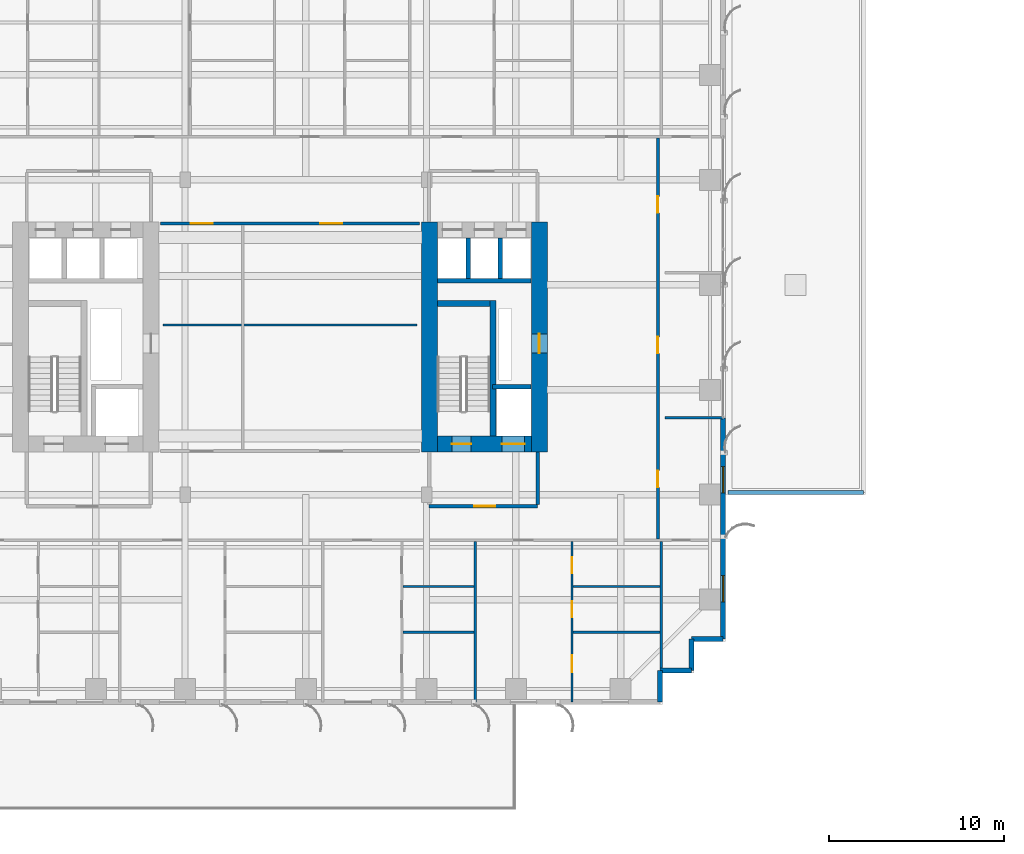
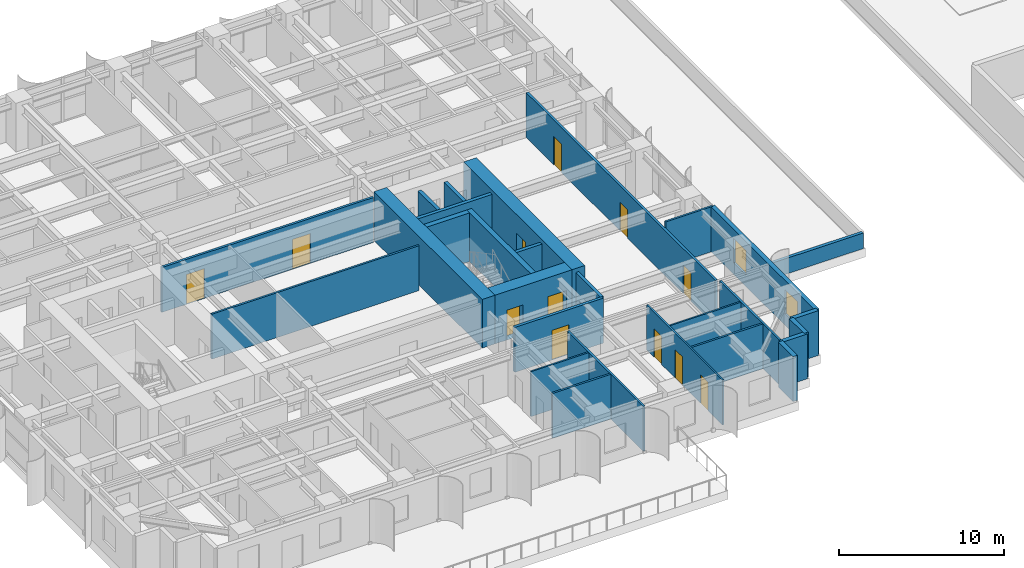
# One storey, part 13 of 21: 28 walls, 12 doors, 2 windows, 14 openings.
"""IFC4 building model written with IfcOpenShell, lengths in metres."""

from ifc_helpers import new_model, si_unit, direction, frame, frame_2d, origin, place, context, subcontext, project, spatial, rectangle, extrude, source, transform, mapped, material, layer, layer_set, type_object, element, fill, save


model = new_model("IFC4")

# Units and contexts
model_context = context("Model", 3, precision=1e-05, world=origin(), true_north=direction((0.0, 1.0)))
body_context = subcontext(model_context, "Body", "Model", "MODEL_VIEW")
ifc_project = project(units=[si_unit("LENGTHUNIT", "METRE"), si_unit("AREAUNIT", "SQUARE_METRE"), si_unit("VOLUMEUNIT", "CUBIC_METRE"), si_unit("PLANEANGLEUNIT", "RADIAN"), si_unit("MASSUNIT", "GRAM", prefix="KILO")], contexts=[model_context])

# Site, building, storey
site_placement = place(None, origin())
site = spatial("IfcSite", under=ifc_project, at=site_placement, CompositionType="ELEMENT")
building_placement = place(site_placement, origin())
building = spatial("IfcBuilding", under=site, at=building_placement, Name="Khoralis Quay Care Tower", CompositionType="ELEMENT")
storey_placement = place(building_placement, frame((0.0, 0.0, 22.5)))
storey = spatial("IfcBuildingStorey", under=building, at=storey_placement, Name="L05", CompositionType="ELEMENT", Elevation=22.5)

# Wall, opening, door
ifc_material_1 = material(Name="Gypsum plasterboard on acoustic metal stud")
ifc_layer_1 = layer(ifc_material_1, 0.199951171875)
ifc_layer_set_1 = layer_set([ifc_layer_1], Name="Gypsum plasterboard on acoustic metal stud")
wall_type_1 = type_object("IfcWallType", Name="WL-COMP-200", PredefinedType="PARTITIONING", material=ifc_layer_set_1)
wall_1_placement = place(storey_placement, frame((31.050048828125, 11.35009765625, 0.0), z_axis=(0.0, 0.0, 1.0), x_axis=(1.0, 0.0, 0.0)))
wall_1 = element("IfcWall", 1, at=wall_1_placement, inside=storey, type_object=wall_type_1, Name="L05 East Firefighting Lobby South Wall", PredefinedType="PARTITIONING", context=body_context, shape_type="SweptSolid", body=[
    extrude(rectangle(XDim=6.199951171875, YDim=0.199951171875, at=frame_2d((3.10009765625, 0.0))), origin(), (0.0, 0.0, 1.0), 3.320068359375),
])
opening_1_placement = place(wall_1_placement, frame((2.585693359375, 0.0, 0.0)))
opening_1 = element("IfcOpeningElement", 2, at=opening_1_placement, cuts=wall_1, Name="Opening FD1", PredefinedType="OPENING", context=body_context, shape_type="SweptSolid", body=[
    extrude(rectangle(XDim=1.199951171875, YDim=2.199951171875, at=frame_2d((0.60009765625, 1.10009765625))), frame((0.0, 0.10986328125, 0.0), z_axis=(0.0, -1.0, 0.0), x_axis=(1.0, 0.0, 0.0)), (0.0, 0.0, 1.0), 0.219970703125),
])
ifc_material_2 = material(Name="Fire-rated painted steel", Category="steel")
door_type_1 = type_object("IfcDoorType", Name="DR-FFL-1200X2200", OperationType="NOTDEFINED", PredefinedType="DOOR", material=ifc_material_2)
shared_shape_1 = source(origin(), body_context, "Body", "SweptSolid", [
    extrude(rectangle(XDim=1.199951171875, YDim=2.199951171875, at=frame_2d((0.60009765625, 1.10009765625))), frame((0.0, 0.02490234375, 0.0), z_axis=(0.0, -1.0, 0.0), x_axis=(1.0, 0.0, 0.0)), (0.0, 0.0, 1.0), 0.050048828125),
])
door_1_placement = place(opening_1_placement, origin())
door_1 = element("IfcDoor", 3, at=door_1_placement, inside=storey, type_object=door_type_1, Name="L05 East Firefighting Lobby Fire Door", OperationType="SINGLE_SWING_RIGHT", OverallHeight=2.199951171875, OverallWidth=1.199951171875, PredefinedType="DOOR", context=body_context, shape_type="MappedRepresentation", body=[
    mapped(shared_shape_1, transform((0.0, 0.0, 0.0), scale=1.0)),
])
fill(opening_1, door_1)

# Walls
wall_2_placement = place(storey_placement, frame((37.25, 11.445068359375, 0.0), z_axis=(0.0, 0.0, 1.0), x_axis=(0.0, 1.0, 0.0)))
element("IfcWall", 4, at=wall_2_placement, inside=storey, type_object=wall_type_1, Name="L05 East Firefighting Lobby East Wall", PredefinedType="PARTITIONING", context=body_context, shape_type="SweptSolid", body=[
    extrude(rectangle(XDim=2.98486328125, YDim=0.199951171875, at=frame_2d((1.492431640625, 0.0))), origin(), (0.0, 0.0, 1.0), 3.320068359375),
])
ifc_material_3 = material(Name="Concrete C80/95", Category="concrete")
ifc_layer_2 = layer(ifc_material_3, 0.89990234375)
ifc_layer_set_2 = layer_set([ifc_layer_2], Name="Concrete C80/95")
wall_type_2 = type_object("IfcWallType", Name="WL-CORE-900", PredefinedType="SHEAR", material=ifc_layer_set_2)
wall_3_placement = place(storey_placement, frame((31.070068359375, 14.449951171875, 0.0), z_axis=(0.0, 0.0, 1.0), x_axis=(0.0, 1.0, 0.0)))
element("IfcWall", 5, at=wall_3_placement, inside=storey, type_object=wall_type_2, Name="L05 ECORE West Shear Wall", PredefinedType="SHEAR", context=body_context, shape_type="SweptSolid", body=[
    extrude(rectangle(XDim=13.150146484375, YDim=0.89990234375, at=frame_2d((6.5751953125, 0.0))), origin(), (0.0, 0.0, 1.0), 3.60009765625),
])

# Wall, opening, door
wall_4_placement = place(storey_placement, frame((37.35009765625, 14.449951171875, 0.0), z_axis=(0.0, 0.0, 1.0), x_axis=(0.0, 1.0, 0.0)))
wall_4 = element("IfcWall", 6, at=wall_4_placement, inside=storey, type_object=wall_type_2, Name="L05 ECORE East Shear Wall", PredefinedType="SHEAR", context=body_context, shape_type="SweptSolid", body=[
    extrude(rectangle(XDim=13.150146484375, YDim=0.89990234375, at=frame_2d((6.5751953125, 0.0))), origin(), (0.0, 0.0, 1.0), 3.60009765625),
])
opening_2_placement = place(wall_4_placement, frame((5.64990234375, 0.0, 0.0)))
opening_2 = element("IfcOpeningElement", 7, at=opening_2_placement, cuts=wall_4, Name="Opening SD1", PredefinedType="OPENING", context=body_context, shape_type="SweptSolid", body=[
    extrude(rectangle(XDim=1.10009765625, YDim=2.199951171875, at=frame_2d((0.550048828125, 1.10009765625))), frame((0.0, 0.4599609375, 0.0), z_axis=(0.0, -1.0, 0.0), x_axis=(1.0, 0.0, 0.0)), (0.0, 0.0, 1.0), 0.919921875),
])
door_type_2 = type_object("IfcDoorType", Name="DR-STAIR-1100X2200", OperationType="NOTDEFINED", PredefinedType="DOOR", material=ifc_material_2)
shared_shape_2 = source(origin(), body_context, "Body", "SweptSolid", [
    extrude(rectangle(XDim=1.10009765625, YDim=2.199951171875, at=frame_2d((0.550048828125, 1.10009765625))), frame((0.0, 0.02490234375, 0.0), z_axis=(0.0, -1.0, 0.0), x_axis=(1.0, 0.0, 0.0)), (0.0, 0.0, 1.0), 0.050048828125),
])
door_2_placement = place(opening_2_placement, frame((1.10009765625, 0.0, 0.0), z_axis=(0.0, 0.0, 1.0), x_axis=(-1.0, 0.0, 0.0)))
door_2 = element("IfcDoor", 8, at=door_2_placement, inside=storey, type_object=door_type_2, Name="L05 East MEP Riser Door", OperationType="SINGLE_SWING_RIGHT", OverallHeight=2.199951171875, OverallWidth=1.10009765625, PredefinedType="DOOR", context=body_context, shape_type="MappedRepresentation", body=[
    mapped(shared_shape_2, transform((0.0, 0.0, 0.0), scale=1.0)),
])
fill(opening_2, door_2)

# Wall, openings, doors
wall_5_placement = place(storey_placement, frame((31.52001953125, 14.89990234375, 0.0), z_axis=(0.0, 0.0, 1.0), x_axis=(1.0, 0.0, 0.0)))
wall_5 = element("IfcWall", 9, at=wall_5_placement, inside=storey, type_object=wall_type_2, Name="L05 ECORE South Shear Wall", PredefinedType="SHEAR", context=body_context, shape_type="SweptSolid", body=[
    extrude(rectangle(XDim=5.3798828125, YDim=0.89990234375, at=frame_2d((2.68994140625, 0.0))), origin(), (0.0, 0.0, 1.0), 3.60009765625),
])
opening_3_placement = place(wall_5_placement, frame((0.830078125, 0.0, 0.0)))
opening_3 = element("IfcOpeningElement", 10, at=opening_3_placement, cuts=wall_5, Name="Opening SD1", PredefinedType="OPENING", context=body_context, shape_type="SweptSolid", body=[
    extrude(rectangle(XDim=1.10009765625, YDim=2.199951171875, at=frame_2d((0.550048828125, 1.10009765625))), frame((0.0, 0.4599609375, 0.0), z_axis=(0.0, -1.0, 0.0), x_axis=(1.0, 0.0, 0.0)), (0.0, 0.0, 1.0), 0.919921875),
])
opening_4_placement = place(wall_5_placement, frame((3.679931640625, 0.0, 0.0)))
opening_4 = element("IfcOpeningElement", 11, at=opening_4_placement, cuts=wall_5, Name="Opening LD2", PredefinedType="OPENING", context=body_context, shape_type="SweptSolid", body=[
    extrude(rectangle(XDim=1.300048828125, YDim=2.199951171875, at=frame_2d((0.64990234375, 1.10009765625))), frame((0.0, 0.4599609375, 0.0), z_axis=(0.0, -1.0, 0.0), x_axis=(1.0, 0.0, 0.0)), (0.0, 0.0, 1.0), 0.919921875),
])
door_3_placement = place(opening_3_placement, origin())
door_3 = element("IfcDoor", 12, at=door_3_placement, inside=storey, type_object=door_type_2, Name="L05 Stair ST-T2 Fire Door", OperationType="SINGLE_SWING_RIGHT", OverallHeight=2.199951171875, OverallWidth=1.10009765625, PredefinedType="DOOR", context=body_context, shape_type="MappedRepresentation", body=[
    mapped(shared_shape_2, transform((0.0, 0.0, 0.0), scale=1.0)),
])
fill(opening_3, door_3)
ifc_material_4 = material(Name="Brushed stainless steel", Category="steel")
door_type_3 = type_object("IfcDoorType", Name="DR-LIFT-1300X2200", OperationType="SLIDING_TO_RIGHT", PredefinedType="DOOR", material=ifc_material_4)
shared_shape_3 = source(origin(), body_context, "Body", "SweptSolid", [
    extrude(rectangle(XDim=1.300048828125, YDim=2.199951171875, at=frame_2d((0.64990234375, 1.10009765625))), frame((0.0, 0.02490234375, 0.0), z_axis=(0.0, -1.0, 0.0), x_axis=(1.0, 0.0, 0.0)), (0.0, 0.0, 1.0), 0.050048828125),
])
door_4_placement = place(opening_4_placement, origin())
door_4 = element("IfcDoor", 13, at=door_4_placement, inside=storey, type_object=door_type_3, Name="L05 Firefighting Lift FFL-2 Landing Door", OperationType="SLIDING_TO_RIGHT", OverallHeight=2.199951171875, OverallWidth=1.300048828125, PredefinedType="DOOR", context=body_context, shape_type="MappedRepresentation", body=[
    mapped(shared_shape_3, transform((0.0, 0.0, 0.0), scale=1.0)),
])
fill(opening_4, door_4)

ifc_layer_3 = layer(ifc_material_1, 0.1650390625)
ifc_layer_set_3 = layer_set([ifc_layer_3], Name="Gypsum plasterboard on acoustic metal stud")
wall_type_3 = type_object("IfcWallType", Name="WL-CORR-165", PredefinedType="PARTITIONING", material=ifc_layer_set_3)
wall_6_placement = place(storey_placement, frame((44.1201171875, 9.4775390625, 0.0), z_axis=(0.0, 0.0, 1.0), x_axis=(0.0, 1.0, 0.0)))
wall_6 = element("IfcWall", 14, at=wall_6_placement, inside=storey, type_object=wall_type_3, Name="L05 East Loop Corridor Wall", PredefinedType="PARTITIONING", context=body_context, shape_type="SweptSolid", body=[
    extrude(rectangle(XDim=22.905029296875, YDim=0.1650390625, at=frame_2d((11.45263671875, 0.0))), origin(), (0.0, 0.0, 1.0), 3.320068359375),
])
opening_5_placement = place(wall_6_placement, frame((2.947509765625, 0.0, 0.0)))
opening_5 = element("IfcOpeningElement", 15, at=opening_5_placement, cuts=wall_6, Name="Opening ID1", PredefinedType="OPENING", context=body_context, shape_type="SweptSolid", body=[
    extrude(rectangle(XDim=0.949951171875, YDim=2.10009765625, at=frame_2d((0.47509765625, 1.050048828125))), frame((0.0, 0.092529296875, 0.0), z_axis=(0.0, -1.0, 0.0), x_axis=(1.0, 0.0, 0.0)), (0.0, 0.0, 1.0), 0.18505859375),
])
opening_6_placement = place(wall_6_placement, frame((10.597412109375, 0.0, 0.0)))
opening_6 = element("IfcOpeningElement", 16, at=opening_6_placement, cuts=wall_6, Name="Opening ID1", PredefinedType="OPENING", context=body_context, shape_type="SweptSolid", body=[
    extrude(rectangle(XDim=0.949951171875, YDim=2.10009765625, at=frame_2d((0.47509765625, 1.050048828125))), frame((0.0, 0.092529296875, 0.0), z_axis=(0.0, -1.0, 0.0), x_axis=(1.0, 0.0, 0.0)), (0.0, 0.0, 1.0), 0.18505859375),
])
opening_7_placement = place(wall_6_placement, frame((18.62744140625, 0.0, 0.0)))
opening_7 = element("IfcOpeningElement", 17, at=opening_7_placement, cuts=wall_6, Name="Opening ID1", PredefinedType="OPENING", context=body_context, shape_type="SweptSolid", body=[
    extrude(rectangle(XDim=0.949951171875, YDim=2.10009765625, at=frame_2d((0.47509765625, 1.050048828125))), frame((0.0, 0.092529296875, 0.0), z_axis=(0.0, -1.0, 0.0), x_axis=(1.0, 0.0, 0.0)), (0.0, 0.0, 1.0), 0.18505859375),
])
ifc_material_5 = material(Name="Acoustic hardwood timber", Category="wood")
door_type_4 = type_object("IfcDoorType", Name="DR-ROOM-950X2100", OperationType="NOTDEFINED", PredefinedType="DOOR", material=ifc_material_5)
shared_shape_4 = source(origin(), body_context, "Body", "SweptSolid", [
    extrude(rectangle(XDim=0.949951171875, YDim=2.10009765625, at=frame_2d((0.47509765625, 1.050048828125))), frame((0.0, 0.02490234375, 0.0), z_axis=(0.0, -1.0, 0.0), x_axis=(1.0, 0.0, 0.0)), (0.0, 0.0, 1.0), 0.050048828125),
])
door_5_placement = place(opening_5_placement, frame((0.949951171875, 0.0, 0.0), z_axis=(0.0, 0.0, 1.0), x_axis=(-1.0, 0.0, 0.0)))
door_5 = element("IfcDoor", 18, at=door_5_placement, inside=storey, type_object=door_type_4, Name="L05 Therapy Consultation Room Door", OperationType="SINGLE_SWING_LEFT", OverallHeight=2.10009765625, OverallWidth=0.949951171875, PredefinedType="DOOR", context=body_context, shape_type="MappedRepresentation", body=[
    mapped(shared_shape_4, transform((0.0, 0.0, 0.0), scale=1.0)),
])
fill(opening_5, door_5)
door_6_placement = place(opening_6_placement, frame((0.949951171875, 0.0, 0.0), z_axis=(0.0, 0.0, 1.0), x_axis=(-1.0, 0.0, 0.0)))
door_6 = element("IfcDoor", 19, at=door_6_placement, inside=storey, type_object=door_type_4, Name="L05 Assisted Activity Lounge Door", OperationType="SINGLE_SWING_RIGHT", OverallHeight=2.10009765625, OverallWidth=0.949951171875, PredefinedType="DOOR", context=body_context, shape_type="MappedRepresentation", body=[
    mapped(shared_shape_4, transform((0.0, 0.0, 0.0), scale=1.0)),
])
fill(opening_6, door_6)
door_7_placement = place(opening_7_placement, frame((0.949951171875, 0.0, 0.0), z_axis=(0.0, 0.0, 1.0), x_axis=(-1.0, 0.0, 0.0)))
door_7 = element("IfcDoor", 20, at=door_7_placement, inside=storey, type_object=door_type_4, Name="L05 Nurse Charting Office Door", OperationType="SINGLE_SWING_LEFT", OverallHeight=2.10009765625, OverallWidth=0.949951171875, PredefinedType="DOOR", context=body_context, shape_type="MappedRepresentation", body=[
    mapped(shared_shape_4, transform((0.0, 0.0, 0.0), scale=1.0)),
])
fill(opening_7, door_7)

wall_7_placement = place(storey_placement, frame((15.699951171875, 27.5, 0.0), z_axis=(0.0, 0.0, 1.0), x_axis=(1.0, 0.0, 0.0)))
wall_7 = element("IfcWall", 21, at=wall_7_placement, inside=storey, type_object=wall_type_3, Name="L05 Central Clinical North Wall", PredefinedType="PARTITIONING", context=body_context, shape_type="SweptSolid", body=[
    extrude(rectangle(XDim=14.800048828125, YDim=0.1650390625, at=frame_2d((7.39990234375, 0.0))), origin(), (0.0, 0.0, 1.0), 3.320068359375),
])
opening_8_placement = place(wall_7_placement, frame((1.72509765625, 0.0, 0.0)))
opening_8 = element("IfcOpeningElement", 22, at=opening_8_placement, cuts=wall_7, Name="Opening CD1", PredefinedType="OPENING", context=body_context, shape_type="SweptSolid", body=[
    extrude(rectangle(XDim=1.25, YDim=2.199951171875, at=frame_2d((0.625, 1.10009765625))), frame((0.0, 0.092529296875, 0.0), z_axis=(0.0, -1.0, 0.0), x_axis=(1.0, 0.0, 0.0)), (0.0, 0.0, 1.0), 0.18505859375),
])
opening_9_placement = place(wall_7_placement, frame((9.125, 0.0, 0.0)))
opening_9 = element("IfcOpeningElement", 23, at=opening_9_placement, cuts=wall_7, Name="Opening CD1", PredefinedType="OPENING", context=body_context, shape_type="SweptSolid", body=[
    extrude(rectangle(XDim=1.25, YDim=2.199951171875, at=frame_2d((0.625, 1.10009765625))), frame((0.0, 0.092529296875, 0.0), z_axis=(0.0, -1.0, 0.0), x_axis=(1.0, 0.0, 0.0)), (0.0, 0.0, 1.0), 0.18505859375),
])
door_type_5 = type_object("IfcDoorType", Name="DR-CARE-1250X2200", OperationType="NOTDEFINED", PredefinedType="DOOR", material=ifc_material_5)
shared_shape_5 = source(origin(), body_context, "Body", "SweptSolid", [
    extrude(rectangle(XDim=1.25, YDim=2.199951171875, at=frame_2d((0.625, 1.10009765625))), frame((0.0, 0.02490234375, 0.0), z_axis=(0.0, -1.0, 0.0), x_axis=(1.0, 0.0, 0.0)), (0.0, 0.0, 1.0), 0.050048828125),
])
door_8_placement = place(opening_8_placement, frame((1.25, 0.0, 0.0), z_axis=(0.0, 0.0, 1.0), x_axis=(-1.0, 0.0, 0.0)))
door_8 = element("IfcDoor", 24, at=door_8_placement, inside=storey, type_object=door_type_5, Name="L05 Library Lounge Door", OperationType="SINGLE_SWING_LEFT", OverallHeight=2.199951171875, OverallWidth=1.25, PredefinedType="DOOR", context=body_context, shape_type="MappedRepresentation", body=[
    mapped(shared_shape_5, transform((0.0, 0.0, 0.0), scale=1.0)),
])
fill(opening_8, door_8)
door_9_placement = place(opening_9_placement, frame((1.25, 0.0, 0.0), z_axis=(0.0, 0.0, 1.0), x_axis=(-1.0, 0.0, 0.0)))
door_9 = element("IfcDoor", 25, at=door_9_placement, inside=storey, type_object=door_type_5, Name="L05 Occupational Therapy Door", OperationType="SINGLE_SWING_RIGHT", OverallHeight=2.199951171875, OverallWidth=1.25, PredefinedType="DOOR", context=body_context, shape_type="MappedRepresentation", body=[
    mapped(shared_shape_5, transform((0.0, 0.0, 0.0), scale=1.0)),
])
fill(opening_9, door_9)

# Walls
ifc_material_6 = material(Name="Precast concrete C45/55", Category="concrete")
ifc_layer_4 = layer(ifc_material_6, 0.300048828125)
ifc_layer_set_4 = layer_set([ifc_layer_4], Name="Precast concrete C45/55")
wall_type_4 = type_object("IfcWallType", Name="WL-EXT-REF-300", PredefinedType="SOLIDWALL", material=ifc_layer_set_4)
for number, where, z_axis, x_axis, name in (
    (26, (44.25, 0.14990234375, 0.0), (0.0, 0.0, 1.0), (0.0, 1.0, 0.0), "L05 External Facade Wall WL-EXT-L05-P1-C1"),
    (27, (44.25, 1.949951171875, 0.0), (0.0, 0.0, 1.0), (1.0, 0.0, 0.0), "L05 External Facade Wall WL-EXT-L05-P1-C2"),
    (28, (46.050048828125, 1.949951171875, 0.0), (0.0, 0.0, 1.0), (0.0, 1.0, 0.0), "L05 External Facade Wall WL-EXT-L05-P1-C3"),
    (29, (46.050048828125, 3.75, 0.0), (0.0, 0.0, 1.0), (1.0, 0.0, 0.0), "L05 External Facade Wall WL-EXT-L05-P1-C4"),
):
    element("IfcWall", number, at=place(storey_placement, frame(where, z_axis=z_axis, x_axis=x_axis)), inside=storey, type_object=wall_type_4, Name=name, PredefinedType="SOLIDWALL", context=body_context, shape_type="SweptSolid", body=[
        extrude(rectangle(XDim=1.800048828125, YDim=0.300048828125, at=frame_2d((0.89990234375, 0.0))), origin(), (0.0, 0.0, 1.0), 3.320068359375),
    ])

# Wall, openings, windows
wall_8_placement = place(storey_placement, frame((47.85009765625, 3.75, 0.0), z_axis=(0.0, 0.0, 1.0), x_axis=(0.0, 1.0, 0.0)))
wall_8 = element("IfcWall", 30, at=wall_8_placement, inside=storey, type_object=wall_type_4, Name="L05 External Facade Wall WL-EXT-L05-P1-E5A", PredefinedType="SOLIDWALL", context=body_context, shape_type="SweptSolid", body=[
    extrude(rectangle(XDim=12.64990234375, YDim=0.300048828125, at=frame_2d((6.324951171875, 0.0))), origin(), (0.0, 0.0, 1.0), 3.320068359375),
])
opening_10_placement = place(wall_8_placement, frame((2.125, 0.0, 0.85009765625)))
opening_10 = element("IfcOpeningElement", 31, at=opening_10_placement, cuts=wall_8, Name="Opening W3", PredefinedType="OPENING", context=body_context, shape_type="SweptSolid", body=[
    extrude(rectangle(XDim=1.5, YDim=1.800048828125, at=frame_2d((0.75, 0.89990234375))), frame((0.0, 0.16015625, 0.0), z_axis=(0.0, -1.0, 0.0), x_axis=(1.0, 0.0, 0.0)), (0.0, 0.0, 1.0), 0.320068359375),
])
opening_11_placement = place(wall_8_placement, frame((8.35009765625, 0.0, 0.85009765625)))
opening_11 = element("IfcOpeningElement", 32, at=opening_11_placement, cuts=wall_8, Name="Opening W3", PredefinedType="OPENING", context=body_context, shape_type="SweptSolid", body=[
    extrude(rectangle(XDim=1.5, YDim=1.800048828125, at=frame_2d((0.75, 0.89990234375))), frame((0.0, 0.16015625, 0.0), z_axis=(0.0, -1.0, 0.0), x_axis=(1.0, 0.0, 0.0)), (0.0, 0.0, 1.0), 0.320068359375),
])
ifc_material_7 = material(Name="Low-E solar-control double glazing", Category="glass")
window_type = type_object("IfcWindowType", Name="WN-CLIN-1500X1800", PartitioningType="SINGLE_PANEL", PredefinedType="WINDOW", material=ifc_material_7)
shared_shape_6 = source(origin(), body_context, "Body", "SweptSolid", [
    extrude(rectangle(XDim=1.5, YDim=1.800048828125, at=frame_2d((0.75, 0.89990234375))), frame((0.0, 0.030029296875, 0.0), z_axis=(0.0, -1.0, 0.0), x_axis=(1.0, 0.0, 0.0)), (0.0, 0.0, 1.0), 0.06005859375),
])
window_1_placement = place(opening_10_placement, origin())
window_1 = element("IfcWindow", 33, at=window_1_placement, inside=storey, type_object=window_type, Name="WN-L05-P1-E5A Facade Window 01", OverallHeight=1.800048828125, OverallWidth=1.5, PartitioningType="SINGLE_PANEL", PredefinedType="WINDOW", context=body_context, shape_type="MappedRepresentation", body=[
    mapped(shared_shape_6, transform((0.0, 0.0, 0.0), scale=1.0)),
])
fill(opening_10, window_1)
window_2_placement = place(opening_11_placement, origin())
window_2 = element("IfcWindow", 34, at=window_2_placement, inside=storey, type_object=window_type, Name="WN-L05-P1-E5A Facade Window 02", OverallHeight=1.800048828125, OverallWidth=1.5, PartitioningType="SINGLE_PANEL", PredefinedType="WINDOW", context=body_context, shape_type="MappedRepresentation", body=[
    mapped(shared_shape_6, transform((0.0, 0.0, 0.0), scale=1.0)),
])
fill(opening_11, window_2)

# Walls
ifc_material_8 = material(Name="Precast concrete C40/50", Category="concrete")
ifc_layer_5 = layer(ifc_material_8, 0.219970703125)
ifc_layer_set_5 = layer_set([ifc_layer_5], Name="Precast concrete C40/50")
wall_type_5 = type_object("IfcWallType", Name="WL-PARAPET-220", PredefinedType="PARAPET", material=ifc_layer_set_5)
wall_9_placement = place(storey_placement, frame((48.1298828125, 12.1298828125, 0.0), z_axis=(0.0, 0.0, 1.0), x_axis=(1.0, 0.0, 0.0)))
element("IfcWall", 35, at=wall_9_placement, inside=storey, type_object=wall_type_5, Name="Podium East Roof Parapet 1", PredefinedType="PARAPET", context=body_context, shape_type="SweptSolid", body=[
    extrude(rectangle(XDim=7.740234375, YDim=0.219970703125, at=frame_2d((3.8701171875, 0.0))), origin(), (0.0, 0.0, 1.0), 1.14990234375),
])
ifc_layer_6 = layer(ifc_material_1, 0.114990234375)
ifc_layer_set_6 = layer_set([ifc_layer_6], Name="Gypsum plasterboard on acoustic metal stud")
wall_type_6 = type_object("IfcWallType", Name="WL-PART-115", PredefinedType="PARTITIONING", material=ifc_layer_set_6)
wall_10_placement = place(storey_placement, frame((29.54638671875, 6.76806640625, 0.0), z_axis=(0.0, 0.0, 1.0), x_axis=(1.0, 0.0, 0.0)))
element("IfcWall", 36, at=wall_10_placement, inside=storey, type_object=wall_type_6, Name="L05 Unit 2 Kitchen Wall", PredefinedType="PARTITIONING", context=body_context, shape_type="SweptSolid", body=[
    extrude(rectangle(XDim=4.068603515625, YDim=0.114990234375, at=frame_2d((2.0341796875, 0.0))), origin(), (0.0, 0.0, 1.0), 3.320068359375),
])

# Wall, openings, doors
wall_11_placement = place(storey_placement, frame((39.212890625, 0.14501953125, 0.0), z_axis=(0.0, 0.0, 1.0), x_axis=(0.0, 1.0, 0.0)))
wall_11 = element("IfcWall", 37, at=wall_11_placement, inside=storey, type_object=wall_type_6, Name="L05 Unit 3 Internal Wall", PredefinedType="PARTITIONING", context=body_context, shape_type="SweptSolid", body=[
    extrude(rectangle(XDim=9.177490234375, YDim=0.114990234375, at=frame_2d((4.5888671875, 0.0))), origin(), (0.0, 0.0, 1.0), 3.320068359375),
])
opening_12_placement = place(wall_11_placement, frame((1.722900390625, 0.0, 0.0)))
opening_12 = element("IfcOpeningElement", 38, at=opening_12_placement, cuts=wall_11, Name="Opening ID1", PredefinedType="OPENING", context=body_context, shape_type="SweptSolid", body=[
    extrude(rectangle(XDim=0.949951171875, YDim=2.10009765625, at=frame_2d((0.47509765625, 1.050048828125))), frame((0.0, 0.0673828125, 0.0), z_axis=(0.0, -1.0, 0.0), x_axis=(1.0, 0.0, 0.0)), (0.0, 0.0, 1.0), 0.135009765625),
])
opening_13_placement = place(wall_11_placement, frame((4.85693359375, 0.0, 0.0)))
opening_13 = element("IfcOpeningElement", 39, at=opening_13_placement, cuts=wall_11, Name="Opening WD1", PredefinedType="OPENING", context=body_context, shape_type="SweptSolid", body=[
    extrude(rectangle(XDim=0.89990234375, YDim=2.10009765625, at=frame_2d((0.449951171875, 1.050048828125))), frame((0.0, 0.0673828125, 0.0), z_axis=(0.0, -1.0, 0.0), x_axis=(1.0, 0.0, 0.0)), (0.0, 0.0, 1.0), 0.135009765625),
])
opening_14_placement = place(wall_11_placement, frame((7.3740234375, 0.0, 0.0)))
opening_14 = element("IfcOpeningElement", 40, at=opening_14_placement, cuts=wall_11, Name="Opening WD1", PredefinedType="OPENING", context=body_context, shape_type="SweptSolid", body=[
    extrude(rectangle(XDim=0.89990234375, YDim=2.10009765625, at=frame_2d((0.449951171875, 1.050048828125))), frame((0.0, 0.0673828125, 0.0), z_axis=(0.0, -1.0, 0.0), x_axis=(1.0, 0.0, 0.0)), (0.0, 0.0, 1.0), 0.135009765625),
])
door_type_6 = type_object("IfcDoorType", Name="DR-BATH-900X2100", OperationType="NOTDEFINED", PredefinedType="DOOR", material=ifc_material_5)
shared_shape_7 = source(origin(), body_context, "Body", "SweptSolid", [
    extrude(rectangle(XDim=0.89990234375, YDim=2.10009765625, at=frame_2d((0.449951171875, 1.050048828125))), frame((0.0, 0.02490234375, 0.0), z_axis=(0.0, -1.0, 0.0), x_axis=(1.0, 0.0, 0.0)), (0.0, 0.0, 1.0), 0.050048828125),
])
door_10_placement = place(opening_13_placement, frame((0.89990234375, 0.0, 0.0), z_axis=(0.0, 0.0, 1.0), x_axis=(-1.0, 0.0, 0.0)))
door_10 = element("IfcDoor", 41, at=door_10_placement, inside=storey, type_object=door_type_6, Name="L05 Apartment SB3 KIT Door", OperationType="SINGLE_SWING_RIGHT", OverallHeight=2.10009765625, OverallWidth=0.89990234375, PredefinedType="DOOR", context=body_context, shape_type="MappedRepresentation", body=[
    mapped(shared_shape_7, transform((0.0, 0.0, 0.0), scale=1.0)),
])
fill(opening_13, door_10)
door_11_placement = place(opening_14_placement, frame((0.89990234375, 0.0, 0.0), z_axis=(0.0, 0.0, 1.0), x_axis=(-1.0, 0.0, 0.0)))
door_11 = element("IfcDoor", 42, at=door_11_placement, inside=storey, type_object=door_type_6, Name="L05 Apartment SB3 BTH Door", OperationType="SINGLE_SWING_LEFT", OverallHeight=2.10009765625, OverallWidth=0.89990234375, PredefinedType="DOOR", context=body_context, shape_type="MappedRepresentation", body=[
    mapped(shared_shape_7, transform((0.0, 0.0, 0.0), scale=1.0)),
])
fill(opening_14, door_11)
door_12_placement = place(opening_12_placement, frame((0.949951171875, 0.0, 0.0), z_axis=(0.0, 0.0, 1.0), x_axis=(-1.0, 0.0, 0.0)))
door_12 = element("IfcDoor", 43, at=door_12_placement, inside=storey, type_object=door_type_4, Name="L05 Apartment SB3 BED Door", OperationType="SINGLE_SWING_LEFT", OverallHeight=2.10009765625, OverallWidth=0.949951171875, PredefinedType="DOOR", context=body_context, shape_type="MappedRepresentation", body=[
    mapped(shared_shape_4, transform((0.0, 0.0, 0.0), scale=1.0)),
])
fill(opening_12, door_12)

# Walls
wall_12_placement = place(storey_placement, frame((39.265380859375, 6.76806640625, 0.0), z_axis=(0.0, 0.0, 1.0), x_axis=(1.0, 0.0, 0.0)))
element("IfcWall", 44, at=wall_12_placement, inside=storey, type_object=wall_type_6, Name="L05 Unit 3 Kitchen Wall", PredefinedType="PARTITIONING", context=body_context, shape_type="SweptSolid", body=[
    extrude(rectangle(XDim=4.989501953125, YDim=0.114990234375, at=frame_2d((2.49462890625, 0.0))), origin(), (0.0, 0.0, 1.0), 3.320068359375),
])
ifc_material_9 = material(Name="Moisture-resistant gypsum and ceramic tile")
ifc_layer_7 = layer(ifc_material_9, 0.280029296875)
ifc_layer_set_7 = layer_set([ifc_layer_7], Name="Moisture-resistant gypsum and ceramic tile")
wall_type_7 = type_object("IfcWallType", Name="WL-PLUMB-280", PredefinedType="PLUMBINGWALL", material=ifc_layer_set_7)
wall_13_placement = place(storey_placement, frame((29.54638671875, 4.135986328125, 0.0), z_axis=(0.0, 0.0, 1.0), x_axis=(1.0, 0.0, 0.0)))
element("IfcWall", 45, at=wall_13_placement, inside=storey, type_object=wall_type_7, Name="L05 Unit 2 Wet Wall", PredefinedType="PLUMBINGWALL", context=body_context, shape_type="SweptSolid", body=[
    extrude(rectangle(XDim=4.068603515625, YDim=0.139892578125, at=frame_2d((2.0341796875, 0.0))), origin(), (0.0, 0.0, 1.0), 3.320068359375),
])
wall_14_placement = place(storey_placement, frame((39.265380859375, 4.135986328125, 0.0), z_axis=(0.0, 0.0, 1.0), x_axis=(1.0, 0.0, 0.0)))
element("IfcWall", 46, at=wall_14_placement, inside=storey, type_object=wall_type_7, Name="L05 Unit 3 Wet Wall", PredefinedType="PLUMBINGWALL", context=body_context, shape_type="SweptSolid", body=[
    extrude(rectangle(XDim=4.989501953125, YDim=0.139892578125, at=frame_2d((2.49462890625, 0.0))), origin(), (0.0, 0.0, 1.0), 3.320068359375),
])
ifc_material_10 = material(Name="Concrete C40/50", Category="concrete")
ifc_layer_8 = layer(ifc_material_10, 0.35009765625)
ifc_layer_set_8 = layer_set([ifc_layer_8], Name="Concrete C40/50")
wall_type_8 = type_object("IfcWallType", Name="WL-SC-CORE-350", PredefinedType="SHEAR", material=ifc_layer_set_8)
wall_15_placement = place(storey_placement, frame((34.695068359375, 15.35009765625, 0.0), z_axis=(0.0, 0.0, 1.0), x_axis=(0.0, 1.0, 0.0)))
element("IfcWall", 47, at=wall_15_placement, inside=storey, type_object=wall_type_8, Name="L05 Stair ST-T2 Shear Baffle Wall East", PredefinedType="SHEAR", context=body_context, shape_type="SweptSolid", body=[
    extrude(rectangle(XDim=7.75, YDim=0.35009765625, at=frame_2d((3.875, 0.0))), origin(), (0.0, 0.0, 1.0), 3.60009765625),
])
wall_16_placement = place(storey_placement, frame((31.52001953125, 22.925048828125, 0.0), z_axis=(0.0, 0.0, 1.0), x_axis=(1.0, 0.0, 0.0)))
element("IfcWall", 48, at=wall_16_placement, inside=storey, type_object=wall_type_8, Name="L05 Stair ST-T2 Shear Baffle Wall North", PredefinedType="SHEAR", context=body_context, shape_type="SweptSolid", body=[
    extrude(rectangle(XDim=3.0, YDim=0.35009765625, at=frame_2d((1.5, 0.0))), origin(), (0.0, 0.0, 1.0), 3.60009765625),
])
ifc_layer_9 = layer(ifc_material_1, 0.239990234375)
ifc_layer_set_9 = layer_set([ifc_layer_9], Name="Gypsum plasterboard on acoustic metal stud")
wall_type_9 = type_object("IfcWallType", Name="WL-SHAFT-240", PredefinedType="PARTITIONING", material=ifc_layer_set_9)
wall_17_placement = place(storey_placement, frame((34.679931640625, 18.169921875, 0.0), z_axis=(0.0, 0.0, 1.0), x_axis=(1.0, 0.0, 0.0)))
element("IfcWall", 49, at=wall_17_placement, inside=storey, type_object=wall_type_9, Name="L05 FFL-2 Shaft Wall North", PredefinedType="PARTITIONING", context=body_context, shape_type="SweptSolid", body=[
    extrude(rectangle(XDim=2.199951171875, YDim=0.239990234375, at=frame_2d((1.10009765625, 0.0))), origin(), (0.0, 0.0, 1.0), 3.320068359375),
])
wall_18_placement = place(storey_placement, frame((31.52001953125, 24.22998046875, 0.0), z_axis=(0.0, 0.0, 1.0), x_axis=(1.0, 0.0, 0.0)))
element("IfcWall", 50, at=wall_18_placement, inside=storey, type_object=wall_type_9, Name="L05 East Passenger Shaft South Wall", PredefinedType="PARTITIONING", context=body_context, shape_type="SweptSolid", body=[
    extrude(rectangle(XDim=5.35986328125, YDim=0.239990234375, at=frame_2d((2.679931640625, 0.0))), origin(), (0.0, 0.0, 1.0), 3.320068359375),
])
for number, where, z_axis, x_axis, name in (
    (51, (33.2900390625, 24.344970703125, 0.0), (0.0, 0.0, 1.0), (0.0, 1.0, 0.0), "L05 East Shaft Divider 1"),
    (52, (35.110107421875, 24.344970703125, 0.0), (0.0, 0.0, 1.0), (0.0, 1.0, 0.0), "L05 East Shaft Divider 2"),
):
    element("IfcWall", number, at=place(storey_placement, frame(where, z_axis=z_axis, x_axis=x_axis)), inside=storey, type_object=wall_type_9, Name=name, PredefinedType="PARTITIONING", context=body_context, shape_type="SweptSolid", body=[
        extrude(rectangle(XDim=2.3349609375, YDim=0.239990234375, at=frame_2d((1.16748046875, 0.0))), origin(), (0.0, 0.0, 1.0), 3.320068359375),
    ])
ifc_layer_10 = layer(ifc_material_1, 0.139892578125)
ifc_layer_set_10 = layer_set([ifc_layer_10], Name="Gypsum plasterboard on acoustic metal stud")
wall_type_10 = type_object("IfcWallType", Name="WL-UNIT-140", PredefinedType="PARTITIONING", material=ifc_layer_set_10)
wall_19_placement = place(storey_placement, frame((44.5400390625, 16.39990234375, 0.0), z_axis=(0.0, 0.0, 1.0), x_axis=(1.0, 0.0, 0.0)))
element("IfcWall", 53, at=wall_19_placement, inside=storey, type_object=wall_type_10, Name="L05 EE Divider 1", PredefinedType="PARTITIONING", context=body_context, shape_type="SweptSolid", body=[
    extrude(rectangle(XDim=3.31494140625, YDim=0.139892578125, at=frame_2d((1.657470703125, 0.0))), origin(), (0.0, 0.0, 1.0), 3.320068359375),
])
wall_20_placement = place(storey_placement, frame((15.85009765625, 21.699951171875, 0.0), z_axis=(0.0, 0.0, 1.0), x_axis=(1.0, 0.0, 0.0)))
element("IfcWall", 54, at=wall_20_placement, inside=storey, type_object=wall_type_10, Name="L05 Central Split H", PredefinedType="PARTITIONING", context=body_context, shape_type="SweptSolid", body=[
    extrude(rectangle(XDim=14.5, YDim=0.139892578125, at=frame_2d((7.25, 0.0))), origin(), (0.0, 0.0, 1.0), 3.320068359375),
])
wall_21_placement = place(storey_placement, frame((33.679931640625, 0.14501953125, 0.0), z_axis=(0.0, 0.0, 1.0), x_axis=(0.0, 1.0, 0.0)))
element("IfcWall", 55, at=wall_21_placement, inside=storey, type_object=wall_type_10, Name="L05 SB Demising Wall 3", PredefinedType="PARTITIONING", context=body_context, shape_type="SweptSolid", body=[
    extrude(rectangle(XDim=9.177490234375, YDim=0.139892578125, at=frame_2d((4.5888671875, 0.0))), origin(), (0.0, 0.0, 1.0), 3.320068359375),
])
wall_22_placement = place(storey_placement, frame((44.320068359375, 1.945068359375, 0.0), z_axis=(0.0, 0.0, 1.0), x_axis=(0.0, 1.0, 0.0)))
element("IfcWall", 56, at=wall_22_placement, inside=storey, type_object=wall_type_10, Name="L05 SB Demising Wall 4", PredefinedType="PARTITIONING", context=body_context, shape_type="SweptSolid", body=[
    extrude(rectangle(XDim=7.37744140625, YDim=0.139892578125, at=frame_2d((3.688720703125, 0.0))), origin(), (0.0, 0.0, 1.0), 3.320068359375),
])

save(model, "model.ifc")
